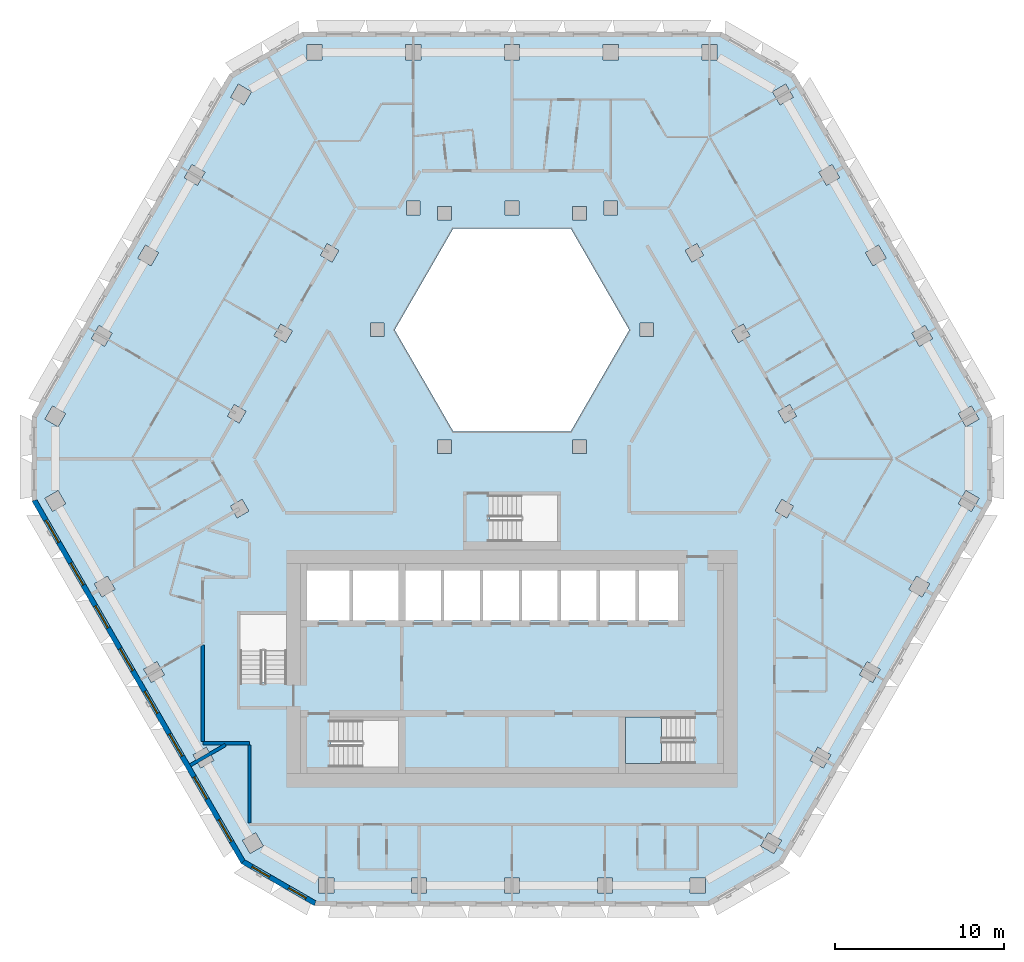
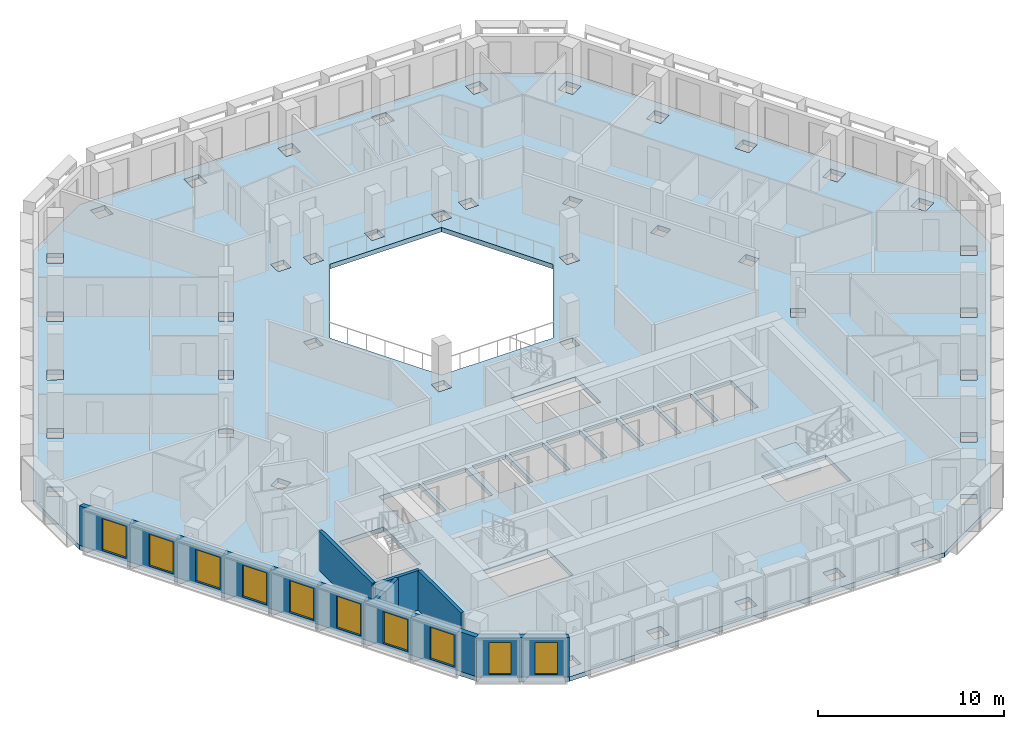
# One storey, part 2 of 17: 10 windows, 6 walls, 2 slabs, 10 openings, 1 element without a shape of its own.
"""IFC4 building model written with IfcOpenShell, lengths in metres."""

from ifc_helpers import new_model, si_unit, direction, frame, frame_2d, origin, place, context, subcontext, project, spatial, polyline, rectangle, outline, extrude, material, layer, layer_set, type_object, element, fill, aggregate, save


model = new_model("IFC4")

# Units and contexts
model_context = context("Model", 3, precision=1e-05, world=origin(), true_north=direction((0.0, 1.0)))
body_context = subcontext(model_context, "Body", "Model", "MODEL_VIEW")
ifc_project = project(units=[si_unit("LENGTHUNIT", "METRE"), si_unit("AREAUNIT", "SQUARE_METRE"), si_unit("VOLUMEUNIT", "CUBIC_METRE"), si_unit("PLANEANGLEUNIT", "RADIAN"), si_unit("MASSUNIT", "GRAM", prefix="KILO")], contexts=[model_context])

# Site, building, storey
site_placement = place(None, origin())
site = spatial("IfcSite", under=ifc_project, at=site_placement, CompositionType="ELEMENT")
building_placement = place(site_placement, origin())
building = spatial("IfcBuilding", under=site, at=building_placement, Name="Beryl Residences", CompositionType="ELEMENT")
storey_placement = place(building_placement, frame((0.0, 0.0, 150.60009765625)))
storey = spatial("IfcBuildingStorey", under=building, at=storey_placement, Name="L46", CompositionType="ELEMENT", Elevation=150.60009765625)

# Slab
ifc_material_1 = material(Name="Concrete C40/50", Category="concrete")
ifc_layer_1 = layer(ifc_material_1, 0.300048828125)
ifc_layer_set_1 = layer_set([ifc_layer_1], Name="SL7 PT floor slab 300 mm C40/50")
slab_type_1 = type_object("IfcSlabType", Name="SL7 PT floor slab 300 mm C40/50", PredefinedType="FLOOR", material=ifc_layer_set_1)
slab_1_placement = place(storey_placement, frame((0.0, 0.0, -0.300048828125)))
element("IfcSlab", 1, at=slab_1_placement, inside=storey, type_object=slab_type_1, Name="L46 slab 1", PredefinedType="FLOOR", context=body_context, shape_type="SweptSolid", body=[
    extrude(outline(polyline([(28.347900390625, -2.10009765625), (15.991943359375, -23.5), (11.662109375, -26.0), (-11.662109375, -26.0), (-15.991943359375, -23.5), (-28.347900390625, -2.10009765625), (-28.347900390625, 2.89990234375), (-16.68505859375, 23.10009765625), (-12.35498046875, 25.60009765625), (12.35498046875, 25.60009765625), (16.68505859375, 23.10009765625), (28.347900390625, 2.89990234375), (28.347900390625, -2.10009765625)]), holes=[polyline([(27.1279296875, 3.514892578125), (26.347900390625, 3.06494140625), (26.798095703125, 2.284912109375), (27.577880859375, 2.735107421875), (27.1279296875, 3.514892578125)]), polyline([(26.7958984375, -1.486083984375), (26.345947265625, -2.26611328125), (27.1259765625, -2.716064453125), (27.575927734375, -1.93603515625), (26.7958984375, -1.486083984375)]), polyline([(23.60498046875, 7.81494140625), (24.054931640625, 7.034912109375), (24.8349609375, 7.485107421875), (24.385009765625, 8.264892578125), (23.60498046875, 7.81494140625)]), polyline([(24.660888671875, -6.986083984375), (23.881103515625, -6.535888671875), (23.430908203125, -7.31591796875), (24.2109375, -7.76611328125), (24.660888671875, -6.986083984375)]), polyline([(21.64306640625, 13.014892578125), (20.863037109375, 12.56494140625), (21.31298828125, 11.784912109375), (22.093017578125, 12.235107421875), (21.64306640625, 13.014892578125)]), polyline([(20.965087890625, -11.5859375), (20.514892578125, -12.365966796875), (21.294921875, -12.81591796875), (21.7451171875, -12.035888671875), (20.965087890625, -11.5859375)]), polyline([(18.1201171875, 17.31494140625), (18.570068359375, 16.534912109375), (19.35009765625, 16.985107421875), (18.89990234375, 17.764892578125), (18.1201171875, 17.31494140625)]), polyline([(18.830078125, -17.0859375), (18.050048828125, -16.635986328125), (17.60009765625, -17.416015625), (18.3798828125, -17.865966796875), (18.830078125, -17.0859375)]), polyline([(16.39892578125, 3.595947265625), (15.70703125, 3.196044921875), (16.10693359375, 2.50390625), (16.799072265625, 2.904052734375), (16.39892578125, 3.595947265625)]), polyline([(16.6240234375, -2.405029296875), (15.931884765625, -2.0048828125), (15.531982421875, -2.697021484375), (16.22412109375, -3.096923828125), (16.6240234375, -2.405029296875)]), polyline([(16.157958984375, 22.514892578125), (15.3779296875, 22.06494140625), (15.827880859375, 21.284912109375), (16.60791015625, 21.735107421875), (16.157958984375, 22.514892578125)]), polyline([(15.9140625, -22.135009765625), (15.134033203125, -21.68505859375), (14.68408203125, -22.465087890625), (15.464111328125, -22.9150390625), (15.9140625, -22.135009765625)]), polyline([(13.656005859375, 8.345947265625), (12.964111328125, 7.946044921875), (13.364013671875, 7.25390625), (14.055908203125, 7.654052734375), (13.656005859375, 8.345947265625)]), polyline([(11.2119140625, 24.85009765625), (11.2119140625, 23.949951171875), (12.112060546875, 23.949951171875), (12.112060546875, 24.85009765625), (11.2119140625, 24.85009765625)]), polyline([(11.4208984375, -24.35009765625), (10.52099609375, -24.35009765625), (10.52099609375, -25.25), (11.4208984375, -25.25), (11.4208984375, -24.35009765625)]), polyline([(10.221923828125, 12.696044921875), (10.6220703125, 12.00390625), (11.31396484375, 12.404052734375), (10.9140625, 13.095947265625), (10.221923828125, 12.696044921875)]), polyline([(6.699951171875, -14.85009765625), (6.699951171875, -17.60009765625), (10.699951171875, -17.60009765625), (10.699951171875, -14.85009765625), (6.699951171875, -14.85009765625)]), polyline([(7.5, -9.14990234375), (9.800048828125, -9.14990234375), (9.800048828125, -6.199951171875), (7.5, -6.199951171875), (7.5, -9.14990234375)]), polyline([(8.366943359375, 7.60009765625), (8.366943359375, 8.39990234375), (7.56689453125, 8.39990234375), (7.56689453125, 7.60009765625), (8.366943359375, 7.60009765625)]), polyline([(7.300048828125, -9.14990234375), (7.300048828125, -6.199951171875), (5.199951171875, -6.199951171875), (5.199951171875, -9.14990234375), (7.300048828125, -9.14990234375)]), polyline([(3.464111328125, 14.0), (-3.464111328125, 14.0), (-6.92822265625, 8.0), (-3.464111328125, 2.0), (3.464111328125, 2.0), (6.92822265625, 8.0), (3.464111328125, 14.0)]), polyline([(5.381103515625, 24.85009765625), (5.381103515625, 23.949951171875), (6.281005859375, 23.949951171875), (6.281005859375, 24.85009765625), (5.381103515625, 24.85009765625)]), polyline([(5.430908203125, 15.60009765625), (5.430908203125, 14.800048828125), (6.23095703125, 14.800048828125), (6.23095703125, 15.60009765625), (5.430908203125, 15.60009765625)]), polyline([(5.93603515625, -25.25), (5.93603515625, -24.35009765625), (5.035888671875, -24.35009765625), (5.035888671875, -25.25), (5.93603515625, -25.25)]), polyline([(2.89990234375, -9.14990234375), (5.0, -9.14990234375), (5.0, -6.199951171875), (2.89990234375, -6.199951171875), (2.89990234375, -9.14990234375)]), polyline([(4.384033203125, 14.5), (4.384033203125, 15.300048828125), (3.583984375, 15.300048828125), (3.583984375, 14.5), (4.384033203125, 14.5)]), polyline([(3.583984375, 1.5), (3.583984375, 0.699951171875), (4.384033203125, 0.699951171875), (4.384033203125, 1.5), (3.583984375, 1.5)]), polyline([(2.699951171875, -4.5), (2.699951171875, -1.75), (-1.300048828125, -1.75), (-1.300048828125, -4.5), (2.699951171875, -4.5)]), polyline([(0.60009765625, -9.14990234375), (2.699951171875, -9.14990234375), (2.699951171875, -6.199951171875), (0.60009765625, -6.199951171875), (0.60009765625, -9.14990234375)]), polyline([(0.450927734375, -24.35009765625), (-0.448974609375, -24.35009765625), (-0.448974609375, -25.25), (0.450927734375, -25.25), (0.450927734375, -24.35009765625)]), polyline([(-0.449951171875, 24.85009765625), (-0.449951171875, 23.949951171875), (0.449951171875, 23.949951171875), (0.449951171875, 24.85009765625), (-0.449951171875, 24.85009765625)]), polyline([(0.39990234375, -6.199951171875), (-1.699951171875, -6.199951171875), (-1.699951171875, -9.14990234375), (0.39990234375, -9.14990234375), (0.39990234375, -6.199951171875)]), polyline([(-0.39990234375, 15.60009765625), (-0.39990234375, 14.800048828125), (0.39990234375, 14.800048828125), (0.39990234375, 15.60009765625), (-0.39990234375, 15.60009765625)]), polyline([(-4.0, -9.14990234375), (-1.89990234375, -9.14990234375), (-1.89990234375, -6.199951171875), (-4.0, -6.199951171875), (-4.0, -9.14990234375)]), polyline([(-3.583984375, 14.5), (-3.583984375, 15.300048828125), (-4.384033203125, 15.300048828125), (-4.384033203125, 14.5), (-3.583984375, 14.5)]), polyline([(-3.583984375, 0.699951171875), (-3.583984375, 1.5), (-4.384033203125, 1.5), (-4.384033203125, 0.699951171875), (-3.583984375, 0.699951171875)]), polyline([(-6.300048828125, -9.14990234375), (-4.199951171875, -9.14990234375), (-4.199951171875, -6.199951171875), (-6.300048828125, -6.199951171875), (-6.300048828125, -9.14990234375)]), polyline([(-5.033935546875, -25.25), (-5.033935546875, -24.35009765625), (-5.93408203125, -24.35009765625), (-5.93408203125, -25.25), (-5.033935546875, -25.25)]), polyline([(-6.281005859375, 23.949951171875), (-5.381103515625, 23.949951171875), (-5.381103515625, 24.85009765625), (-6.281005859375, 24.85009765625), (-6.281005859375, 23.949951171875)]), polyline([(-6.23095703125, 14.800048828125), (-5.430908203125, 14.800048828125), (-5.430908203125, 15.60009765625), (-6.23095703125, 15.60009765625), (-6.23095703125, 14.800048828125)]), polyline([(-6.699951171875, -6.199951171875), (-9.39990234375, -6.199951171875), (-9.39990234375, -9.14990234375), (-6.699951171875, -9.14990234375), (-6.699951171875, -6.199951171875)]), polyline([(-10.699951171875, -15.050048828125), (-10.699951171875, -17.800048828125), (-6.699951171875, -17.800048828125), (-6.699951171875, -15.050048828125), (-10.699951171875, -15.050048828125)]), polyline([(-7.56689453125, 7.60009765625), (-7.56689453125, 8.39990234375), (-8.366943359375, 8.39990234375), (-8.366943359375, 7.60009765625), (-7.56689453125, 7.60009765625)]), polyline([(-12.10009765625, -9.14990234375), (-9.60009765625, -9.14990234375), (-9.60009765625, -6.199951171875), (-12.10009765625, -6.199951171875), (-12.10009765625, -9.14990234375)]), polyline([(-11.31396484375, 12.404052734375), (-10.6220703125, 12.00390625), (-10.221923828125, 12.696044921875), (-10.9140625, 13.095947265625), (-11.31396484375, 12.404052734375)]), polyline([(-11.4189453125, -24.35009765625), (-11.4189453125, -25.25), (-10.51904296875, -25.25), (-10.51904296875, -24.35009765625), (-11.4189453125, -24.35009765625)]), polyline([(-12.112060546875, 24.85009765625), (-12.112060546875, 23.949951171875), (-11.2119140625, 23.949951171875), (-11.2119140625, 24.85009765625), (-12.112060546875, 24.85009765625)]), polyline([(-14.055908203125, 7.654052734375), (-13.364013671875, 7.25390625), (-12.964111328125, 7.946044921875), (-13.656005859375, 8.345947265625), (-14.055908203125, 7.654052734375)]), polyline([(-13.300048828125, -8.800048828125), (-16.050048828125, -8.800048828125), (-16.050048828125, -12.800048828125), (-13.300048828125, -12.800048828125), (-13.300048828125, -8.800048828125)]), polyline([(-14.68505859375, -22.464111328125), (-15.135009765625, -21.68408203125), (-15.9150390625, -22.134033203125), (-15.465087890625, -22.9140625), (-14.68505859375, -22.464111328125)]), polyline([(-15.827880859375, 21.284912109375), (-15.3779296875, 22.06494140625), (-16.157958984375, 22.514892578125), (-16.60791015625, 21.735107421875), (-15.827880859375, 21.284912109375)]), polyline([(-15.532958984375, -2.695068359375), (-15.93310546875, -2.0029296875), (-16.625, -2.403076171875), (-16.22509765625, -3.094970703125), (-15.532958984375, -2.695068359375)]), polyline([(-16.10693359375, 2.50390625), (-15.70703125, 3.196044921875), (-16.39892578125, 3.595947265625), (-16.799072265625, 2.904052734375), (-16.10693359375, 2.50390625)]), polyline([(-17.60107421875, -17.4140625), (-18.051025390625, -16.634033203125), (-18.8310546875, -17.083984375), (-18.381103515625, -17.864013671875), (-17.60107421875, -17.4140625)]), polyline([(-19.35009765625, 16.985107421875), (-18.570068359375, 16.534912109375), (-18.1201171875, 17.31494140625), (-18.89990234375, 17.764892578125), (-19.35009765625, 16.985107421875)]), polyline([(-21.2958984375, -12.81396484375), (-20.51611328125, -12.364013671875), (-20.966064453125, -11.583984375), (-21.74609375, -12.033935546875), (-21.2958984375, -12.81396484375)]), polyline([(-20.863037109375, 12.56494140625), (-21.64306640625, 13.014892578125), (-22.093017578125, 12.235107421875), (-21.31298828125, 11.784912109375), (-20.863037109375, 12.56494140625)]), polyline([(-24.2119140625, -7.763916015625), (-23.431884765625, -7.31396484375), (-23.882080078125, -6.533935546875), (-24.662109375, -6.98388671875), (-24.2119140625, -7.763916015625)]), polyline([(-24.8349609375, 7.485107421875), (-24.054931640625, 7.034912109375), (-23.60498046875, 7.81494140625), (-24.385009765625, 8.264892578125), (-24.8349609375, 7.485107421875)]), polyline([(-27.126953125, -2.715087890625), (-26.346923828125, -2.264892578125), (-26.797119140625, -1.485107421875), (-27.576904296875, -1.93505859375), (-27.126953125, -2.715087890625)]), polyline([(-27.577880859375, 2.735107421875), (-26.798095703125, 2.284912109375), (-26.347900390625, 3.06494140625), (-27.1279296875, 3.514892578125), (-27.577880859375, 2.735107421875)])]), origin(), (0.0, 0.0, 1.0), 0.300048828125),
])

# Stair, slab
ifc_material_2 = material(Name="Concrete C40/50", Category="concrete")
stair_type = type_object("IfcStairType", Name="ST1 protected exit stair, half-turn, 1300 mm flights", PredefinedType="HALF_TURN_STAIR", material=ifc_material_2)
stair_placement = place(storey_placement, origin())
stair = element("IfcStair", 2, at=stair_placement, inside=storey, type_object=stair_type, Name="L46 PROTECTED EXIT STAIR ST-3", PredefinedType="HALF_TURN_STAIR")
ifc_material_3 = material(Name="Concrete C40/50", Category="concrete")
ifc_layer_2 = layer(ifc_material_3, 0.199951171875)
ifc_layer_set_2 = layer_set([ifc_layer_2], Name="SLD1 stair landing 200 mm")
slab_type_2 = type_object("IfcSlabType", Name="SLD1 stair landing 200 mm", PredefinedType="LANDING", material=ifc_layer_set_2)
slab_2_placement = place(storey_placement, frame((0.0, 0.0, 1.2998046875)))
slab_2 = element("IfcSlab", 3, at=slab_2_placement, type_object=slab_type_2, Name="ST-3 landing 1", PredefinedType="LANDING", context=body_context, shape_type="SweptSolid", body=[
    extrude(outline(polyline([(8.840087890625, -14.85009765625), (6.699951171875, -14.85009765625), (6.699951171875, -17.60009765625), (8.840087890625, -17.60009765625), (8.840087890625, -14.85009765625)])), origin(), (0.0, 0.0, 1.0), 0.2001953125),
])
aggregate(stair, [slab_2])

# Wall, openings, windows
ifc_material_4 = material(Name="Composite metal panel with mineral wool insulation")
ifc_layer_3 = layer(ifc_material_4, 0.300048828125)
ifc_layer_set_3 = layer_set([ifc_layer_3], Name="ES1 pale metal composite panel wall 300 mm")
wall_type_1 = type_object("IfcWallType", Name="ES1 pale metal composite panel wall 300 mm", PredefinedType="SOLIDWALL", material=ifc_layer_set_3)
wall_1_placement = place(storey_placement, frame((-28.218017578125, -2.02490234375, 0.0), z_axis=(0.0, 0.0, 1.0), x_axis=(0.500017503135, -0.866015298109, 0.0)))
wall_1 = element("IfcWall", 4, at=wall_1_placement, inside=storey, type_object=wall_type_1, Name="ES1 external wall L46 SW", PredefinedType="SOLIDWALL", context=body_context, shape_type="SweptSolid", body=[
    extrude(outline(polyline([(0.0, -0.14990234375), (24.7109375, -0.14990234375), (24.630615234375, 0.14990234375), (0.080322265625, 0.14990234375), (0.0, -0.14990234375)])), origin(), (0.0, 0.0, 1.0), 2.599853515625),
])
opening_1_placement = place(wall_1_placement, frame((1.39990234375, 0.0, 0.14990234375)))
opening_1 = element("IfcOpeningElement", 5, at=opening_1_placement, cuts=wall_1, Name="Opening W1", PredefinedType="OPENING", context=body_context, shape_type="SweptSolid", body=[
    extrude(rectangle(XDim=1.5, YDim=2.10009765625, at=frame_2d((0.75, 1.050048828125))), frame((0.0, 0.159912109375, 0.0), z_axis=(0.0, -1.0, 0.0), x_axis=(1.0, 0.0, 0.0)), (0.0, 0.0, 1.0), 0.320068359375),
])
opening_2_placement = place(wall_1_placement, frame((4.31591796875, 0.0, 0.14990234375)))
opening_2 = element("IfcOpeningElement", 6, at=opening_2_placement, cuts=wall_1, Name="Opening W1", PredefinedType="OPENING", context=body_context, shape_type="SweptSolid", body=[
    extrude(rectangle(XDim=1.5, YDim=2.10009765625, at=frame_2d((0.75, 1.050048828125))), frame((0.0, 0.159912109375, 0.0), z_axis=(0.0, -1.0, 0.0), x_axis=(1.0, 0.0, 0.0)), (0.0, 0.0, 1.0), 0.320068359375),
])
opening_3_placement = place(wall_1_placement, frame((7.23095703125, 0.0, 0.14990234375)))
opening_3 = element("IfcOpeningElement", 7, at=opening_3_placement, cuts=wall_1, Name="Opening W1", PredefinedType="OPENING", context=body_context, shape_type="SweptSolid", body=[
    extrude(rectangle(XDim=1.5, YDim=2.10009765625, at=frame_2d((0.75, 1.050048828125))), frame((0.0, 0.159912109375, 0.0), z_axis=(0.0, -1.0, 0.0), x_axis=(1.0, 0.0, 0.0)), (0.0, 0.0, 1.0), 0.320068359375),
])
opening_4_placement = place(wall_1_placement, frame((10.14697265625, 0.0, 0.14990234375)))
opening_4 = element("IfcOpeningElement", 8, at=opening_4_placement, cuts=wall_1, Name="Opening W1", PredefinedType="OPENING", context=body_context, shape_type="SweptSolid", body=[
    extrude(rectangle(XDim=1.5, YDim=2.10009765625, at=frame_2d((0.75, 1.050048828125))), frame((0.0, 0.159912109375, 0.0), z_axis=(0.0, -1.0, 0.0), x_axis=(1.0, 0.0, 0.0)), (0.0, 0.0, 1.0), 0.320068359375),
])
opening_5_placement = place(wall_1_placement, frame((13.06201171875, 0.0, 0.14990234375)))
opening_5 = element("IfcOpeningElement", 9, at=opening_5_placement, cuts=wall_1, Name="Opening W1", PredefinedType="OPENING", context=body_context, shape_type="SweptSolid", body=[
    extrude(rectangle(XDim=1.5, YDim=2.10009765625, at=frame_2d((0.75, 1.050048828125))), frame((0.0, 0.159912109375, 0.0), z_axis=(0.0, -1.0, 0.0), x_axis=(1.0, 0.0, 0.0)), (0.0, 0.0, 1.0), 0.320068359375),
])
opening_6_placement = place(wall_1_placement, frame((15.97705078125, 0.0, 0.14990234375)))
opening_6 = element("IfcOpeningElement", 10, at=opening_6_placement, cuts=wall_1, Name="Opening W1", PredefinedType="OPENING", context=body_context, shape_type="SweptSolid", body=[
    extrude(rectangle(XDim=1.5, YDim=2.10009765625, at=frame_2d((0.75, 1.050048828125))), frame((0.0, 0.159912109375, 0.0), z_axis=(0.0, -1.0, 0.0), x_axis=(1.0, 0.0, 0.0)), (0.0, 0.0, 1.0), 0.320068359375),
])
opening_7_placement = place(wall_1_placement, frame((18.89306640625, 0.0, 0.14990234375)))
opening_7 = element("IfcOpeningElement", 11, at=opening_7_placement, cuts=wall_1, Name="Opening W1", PredefinedType="OPENING", context=body_context, shape_type="SweptSolid", body=[
    extrude(rectangle(XDim=1.5, YDim=2.10009765625, at=frame_2d((0.75, 1.050048828125))), frame((0.0, 0.159912109375, 0.0), z_axis=(0.0, -1.0, 0.0), x_axis=(1.0, 0.0, 0.0)), (0.0, 0.0, 1.0), 0.320068359375),
])
opening_8_placement = place(wall_1_placement, frame((21.80908203125, 0.0, 0.14990234375)))
opening_8 = element("IfcOpeningElement", 12, at=opening_8_placement, cuts=wall_1, Name="Opening W1", PredefinedType="OPENING", context=body_context, shape_type="SweptSolid", body=[
    extrude(rectangle(XDim=1.5, YDim=2.10009765625, at=frame_2d((0.75, 1.050048828125))), frame((0.0, 0.159912109375, 0.0), z_axis=(0.0, -1.0, 0.0), x_axis=(1.0, 0.0, 0.0)), (0.0, 0.0, 1.0), 0.320068359375),
])
ifc_material_5 = material(Name="Aluminium and clear glass", Category="aluminium")
window_type_1 = type_object("IfcWindowType", Name="W1 cell window 1500 x 2100 mm", PartitioningType="SINGLE_PANEL", PredefinedType="WINDOW", material=ifc_material_5)
window_1_placement = place(opening_1_placement, origin())
window_1 = element("IfcWindow", 13, at=window_1_placement, inside=storey, type_object=window_type_1, Name="W1 window L46 SW 1", OverallHeight=2.10009765625, OverallWidth=1.5, PartitioningType="SINGLE_PANEL", PredefinedType="WINDOW", context=body_context, shape_type="SweptSolid", body=[
    extrude(rectangle(XDim=1.5, YDim=2.10009765625, at=frame_2d((0.75, 1.050048828125))), frame((0.0, 0.030029296875, 0.0), z_axis=(0.0, -1.0, 0.0), x_axis=(1.0, 0.0, 0.0)), (0.0, 0.0, 1.0), 0.06005859375),
])
fill(opening_1, window_1)
window_2_placement = place(opening_2_placement, origin())
window_2 = element("IfcWindow", 14, at=window_2_placement, inside=storey, type_object=window_type_1, Name="W1 window L46 SW 2", OverallHeight=2.10009765625, OverallWidth=1.5, PartitioningType="SINGLE_PANEL", PredefinedType="WINDOW", context=body_context, shape_type="SweptSolid", body=[
    extrude(rectangle(XDim=1.5, YDim=2.10009765625, at=frame_2d((0.75, 1.050048828125))), frame((0.0, 0.030029296875, 0.0), z_axis=(0.0, -1.0, 0.0), x_axis=(1.0, 0.0, 0.0)), (0.0, 0.0, 1.0), 0.06005859375),
])
fill(opening_2, window_2)
window_3_placement = place(opening_3_placement, origin())
window_3 = element("IfcWindow", 15, at=window_3_placement, inside=storey, type_object=window_type_1, Name="W1 window L46 SW 3", OverallHeight=2.10009765625, OverallWidth=1.5, PartitioningType="SINGLE_PANEL", PredefinedType="WINDOW", context=body_context, shape_type="SweptSolid", body=[
    extrude(rectangle(XDim=1.5, YDim=2.10009765625, at=frame_2d((0.75, 1.050048828125))), frame((0.0, 0.030029296875, 0.0), z_axis=(0.0, -1.0, 0.0), x_axis=(1.0, 0.0, 0.0)), (0.0, 0.0, 1.0), 0.06005859375),
])
fill(opening_3, window_3)
window_4_placement = place(opening_4_placement, origin())
window_4 = element("IfcWindow", 16, at=window_4_placement, inside=storey, type_object=window_type_1, Name="W1 window L46 SW 4", OverallHeight=2.10009765625, OverallWidth=1.5, PartitioningType="SINGLE_PANEL", PredefinedType="WINDOW", context=body_context, shape_type="SweptSolid", body=[
    extrude(rectangle(XDim=1.5, YDim=2.10009765625, at=frame_2d((0.75, 1.050048828125))), frame((0.0, 0.030029296875, 0.0), z_axis=(0.0, -1.0, 0.0), x_axis=(1.0, 0.0, 0.0)), (0.0, 0.0, 1.0), 0.06005859375),
])
fill(opening_4, window_4)
window_5_placement = place(opening_5_placement, origin())
window_5 = element("IfcWindow", 17, at=window_5_placement, inside=storey, type_object=window_type_1, Name="W1 window L46 SW 5", OverallHeight=2.10009765625, OverallWidth=1.5, PartitioningType="SINGLE_PANEL", PredefinedType="WINDOW", context=body_context, shape_type="SweptSolid", body=[
    extrude(rectangle(XDim=1.5, YDim=2.10009765625, at=frame_2d((0.75, 1.050048828125))), frame((0.0, 0.030029296875, 0.0), z_axis=(0.0, -1.0, 0.0), x_axis=(1.0, 0.0, 0.0)), (0.0, 0.0, 1.0), 0.06005859375),
])
fill(opening_5, window_5)
window_6_placement = place(opening_6_placement, origin())
window_6 = element("IfcWindow", 18, at=window_6_placement, inside=storey, type_object=window_type_1, Name="W1 window L46 SW 6", OverallHeight=2.10009765625, OverallWidth=1.5, PartitioningType="SINGLE_PANEL", PredefinedType="WINDOW", context=body_context, shape_type="SweptSolid", body=[
    extrude(rectangle(XDim=1.5, YDim=2.10009765625, at=frame_2d((0.75, 1.050048828125))), frame((0.0, 0.030029296875, 0.0), z_axis=(0.0, -1.0, 0.0), x_axis=(1.0, 0.0, 0.0)), (0.0, 0.0, 1.0), 0.06005859375),
])
fill(opening_6, window_6)
window_7_placement = place(opening_7_placement, origin())
window_7 = element("IfcWindow", 19, at=window_7_placement, inside=storey, type_object=window_type_1, Name="W1 window L46 SW 7", OverallHeight=2.10009765625, OverallWidth=1.5, PartitioningType="SINGLE_PANEL", PredefinedType="WINDOW", context=body_context, shape_type="SweptSolid", body=[
    extrude(rectangle(XDim=1.5, YDim=2.10009765625, at=frame_2d((0.75, 1.050048828125))), frame((0.0, 0.030029296875, 0.0), z_axis=(0.0, -1.0, 0.0), x_axis=(1.0, 0.0, 0.0)), (0.0, 0.0, 1.0), 0.06005859375),
])
fill(opening_7, window_7)
window_8_placement = place(opening_8_placement, origin())
window_8 = element("IfcWindow", 20, at=window_8_placement, inside=storey, type_object=window_type_1, Name="W1 window L46 SW 8", OverallHeight=2.10009765625, OverallWidth=1.5, PartitioningType="SINGLE_PANEL", PredefinedType="WINDOW", context=body_context, shape_type="SweptSolid", body=[
    extrude(rectangle(XDim=1.5, YDim=2.10009765625, at=frame_2d((0.75, 1.050048828125))), frame((0.0, 0.030029296875, 0.0), z_axis=(0.0, -1.0, 0.0), x_axis=(1.0, 0.0, 0.0)), (0.0, 0.0, 1.0), 0.06005859375),
])
fill(opening_8, window_8)

wall_2_placement = place(storey_placement, frame((-15.9169921875, -23.3701171875, 0.0), z_axis=(0.0, 0.0, 1.0), x_axis=(0.866022959057, -0.500004234368, 0.0)))
wall_2 = element("IfcWall", 21, at=wall_2_placement, inside=storey, type_object=wall_type_1, Name="ES1 external wall L46 SW-S", PredefinedType="SOLIDWALL", context=body_context, shape_type="SweptSolid", body=[
    extrude(outline(polyline([(0.0, -0.14990234375), (5.0, -0.14990234375), (4.919677734375, 0.14990234375), (0.080322265625, 0.14990234375), (0.0, -0.14990234375)])), origin(), (0.0, 0.0, 1.0), 2.599853515625),
])
opening_9_placement = place(wall_2_placement, frame((0.64990234375, 0.0, 0.14990234375)))
opening_9 = element("IfcOpeningElement", 22, at=opening_9_placement, cuts=wall_2, Name="Opening W2", PredefinedType="OPENING", context=body_context, shape_type="SweptSolid", body=[
    extrude(rectangle(XDim=1.199951171875, YDim=2.10009765625, at=frame_2d((0.60009765625, 1.050048828125))), frame((0.0, 0.159912109375, 0.0), z_axis=(0.0, -1.0, 0.0), x_axis=(1.0, 0.0, 0.0)), (0.0, 0.0, 1.0), 0.320068359375),
])
opening_10_placement = place(wall_2_placement, frame((3.14990234375, 0.0, 0.14990234375)))
opening_10 = element("IfcOpeningElement", 23, at=opening_10_placement, cuts=wall_2, Name="Opening W2", PredefinedType="OPENING", context=body_context, shape_type="SweptSolid", body=[
    extrude(rectangle(XDim=1.199951171875, YDim=2.10009765625, at=frame_2d((0.60009765625, 1.050048828125))), frame((0.0, 0.159912109375, 0.0), z_axis=(0.0, -1.0, 0.0), x_axis=(1.0, 0.0, 0.0)), (0.0, 0.0, 1.0), 0.320068359375),
])
ifc_material_6 = material(Name="Aluminium and clear glass", Category="aluminium")
window_type_2 = type_object("IfcWindowType", Name="W2 chamfer window 1200 x 2100 mm", PartitioningType="SINGLE_PANEL", PredefinedType="WINDOW", material=ifc_material_6)
window_9_placement = place(opening_9_placement, origin())
window_9 = element("IfcWindow", 24, at=window_9_placement, inside=storey, type_object=window_type_2, Name="W2 window L46 SW-S 1", OverallHeight=2.10009765625, OverallWidth=1.199951171875, PartitioningType="SINGLE_PANEL", PredefinedType="WINDOW", context=body_context, shape_type="SweptSolid", body=[
    extrude(rectangle(XDim=1.199951171875, YDim=2.10009765625, at=frame_2d((0.60009765625, 1.050048828125))), frame((0.0, 0.030029296875, 0.0), z_axis=(0.0, -1.0, 0.0), x_axis=(1.0, 0.0, 0.0)), (0.0, 0.0, 1.0), 0.06005859375),
])
fill(opening_9, window_9)
window_10_placement = place(opening_10_placement, origin())
window_10 = element("IfcWindow", 25, at=window_10_placement, inside=storey, type_object=window_type_2, Name="W2 window L46 SW-S 2", OverallHeight=2.10009765625, OverallWidth=1.199951171875, PartitioningType="SINGLE_PANEL", PredefinedType="WINDOW", context=body_context, shape_type="SweptSolid", body=[
    extrude(rectangle(XDim=1.199951171875, YDim=2.10009765625, at=frame_2d((0.60009765625, 1.050048828125))), frame((0.0, 0.030029296875, 0.0), z_axis=(0.0, -1.0, 0.0), x_axis=(1.0, 0.0, 0.0)), (0.0, 0.0, 1.0), 0.06005859375),
])
fill(opening_10, window_10)

# Walls
ifc_material_7 = material(Name="Acoustic double stud gypsum board wall")
ifc_layer_4 = layer(ifc_material_7, 0.199951171875)
ifc_layer_set_4 = layer_set([ifc_layer_4], Name="PT3 party wall 200 mm acoustic double stud")
wall_type_2 = type_object("IfcWallType", Name="PT3 party wall 200 mm acoustic double stud", PredefinedType="PARTITIONING", material=ifc_layer_set_4)
wall_3_placement = place(storey_placement, frame((-18.9951171875, -17.698974609375, 0.0), z_axis=(0.0, 0.0, 1.0), x_axis=(0.86607371389, 0.499916315105, 0.0)))
element("IfcWall", 26, at=wall_3_placement, inside=storey, type_object=wall_type_2, Name="Wall PT3 L46 010", PredefinedType="PARTITIONING", context=body_context, shape_type="SweptSolid", body=[
    extrude(rectangle(XDim=2.3984375, YDim=0.199951171875, at=frame_2d((1.19921875, 0.0))), origin(), (0.0, 0.0, 1.0), 2.599853515625),
])
ifc_material_8 = material(Name="Double stud gypsum board wall")
ifc_layer_5 = layer(ifc_material_8, 0.199951171875)
ifc_layer_set_5 = layer_set([ifc_layer_5], Name="PT4 corridor wall 200 mm double stud")
wall_type_3 = type_object("IfcWallType", Name="PT4 corridor wall 200 mm double stud", PredefinedType="PARTITIONING", material=ifc_layer_set_5)
wall_4_placement = place(storey_placement, frame((-15.5, -16.5, 0.0), z_axis=(0.0, 0.0, 1.0), x_axis=(0.0, -1.0, 0.0)))
element("IfcWall", 27, at=wall_4_placement, inside=storey, type_object=wall_type_3, Name="Wall PT4 L46 007", PredefinedType="PARTITIONING", context=body_context, shape_type="SweptSolid", body=[
    extrude(rectangle(XDim=4.59912109375, YDim=0.199951171875, at=frame_2d((2.299560546875, 0.0))), origin(), (0.0, 0.0, 1.0), 2.599853515625),
])
wall_5_placement = place(storey_placement, frame((-18.25, -10.593017578125, 0.0), z_axis=(0.0, 0.0, 1.0), x_axis=(0.0, -1.0, 0.0)))
element("IfcWall", 28, at=wall_5_placement, inside=storey, type_object=wall_type_3, Name="Wall PT4 L46 008", PredefinedType="PARTITIONING", context=body_context, shape_type="SweptSolid", body=[
    extrude(rectangle(XDim=5.7060546875, YDim=0.199951171875, at=frame_2d((2.85302734375, 0.0))), origin(), (0.0, 0.0, 1.0), 2.599853515625),
])
wall_6_placement = place(storey_placement, frame((-18.2490234375, -16.39990234375, 0.0), z_axis=(0.0, 0.0, 1.0), x_axis=(1.0, 0.0, 0.0)))
element("IfcWall", 29, at=wall_6_placement, inside=storey, type_object=wall_type_3, Name="Wall PT4 L46 011", PredefinedType="PARTITIONING", context=body_context, shape_type="SweptSolid", body=[
    extrude(rectangle(XDim=2.7490234375, YDim=0.199951171875, at=frame_2d((1.37451171875, 0.0))), origin(), (0.0, 0.0, 1.0), 2.599853515625),
])

save(model, "model.ifc")
